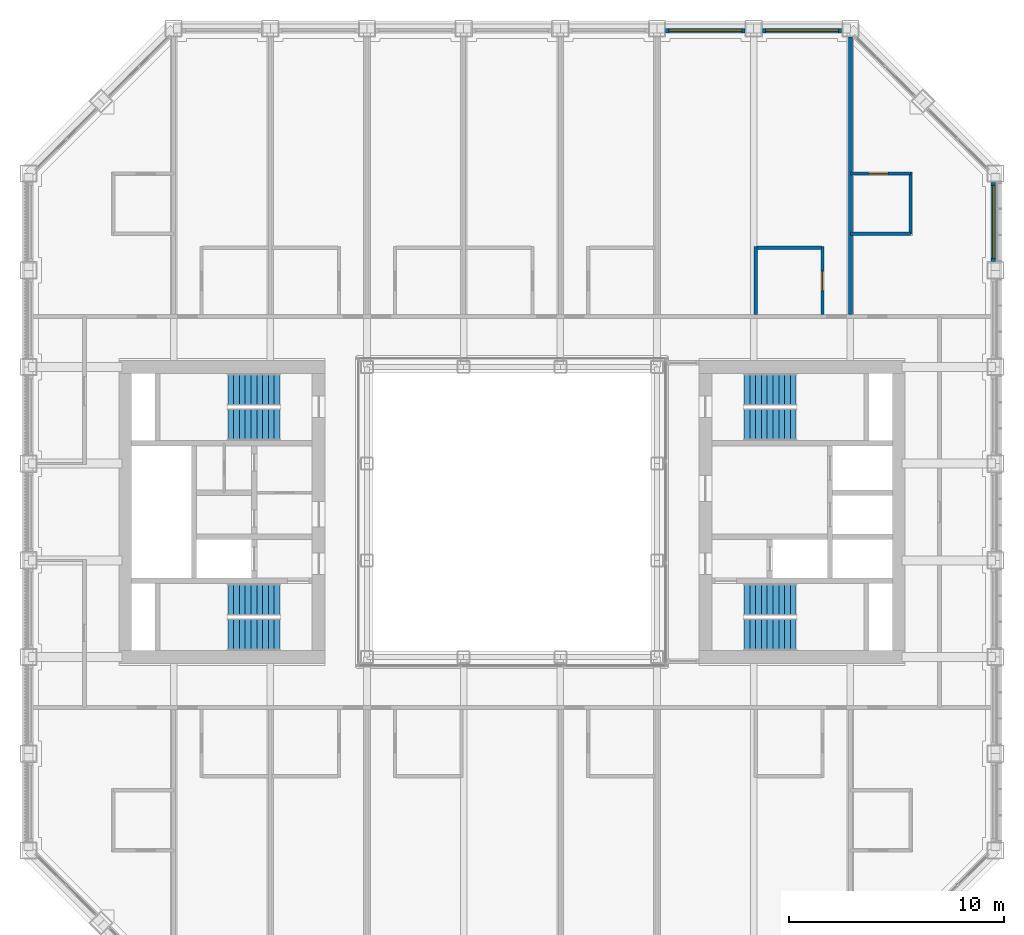
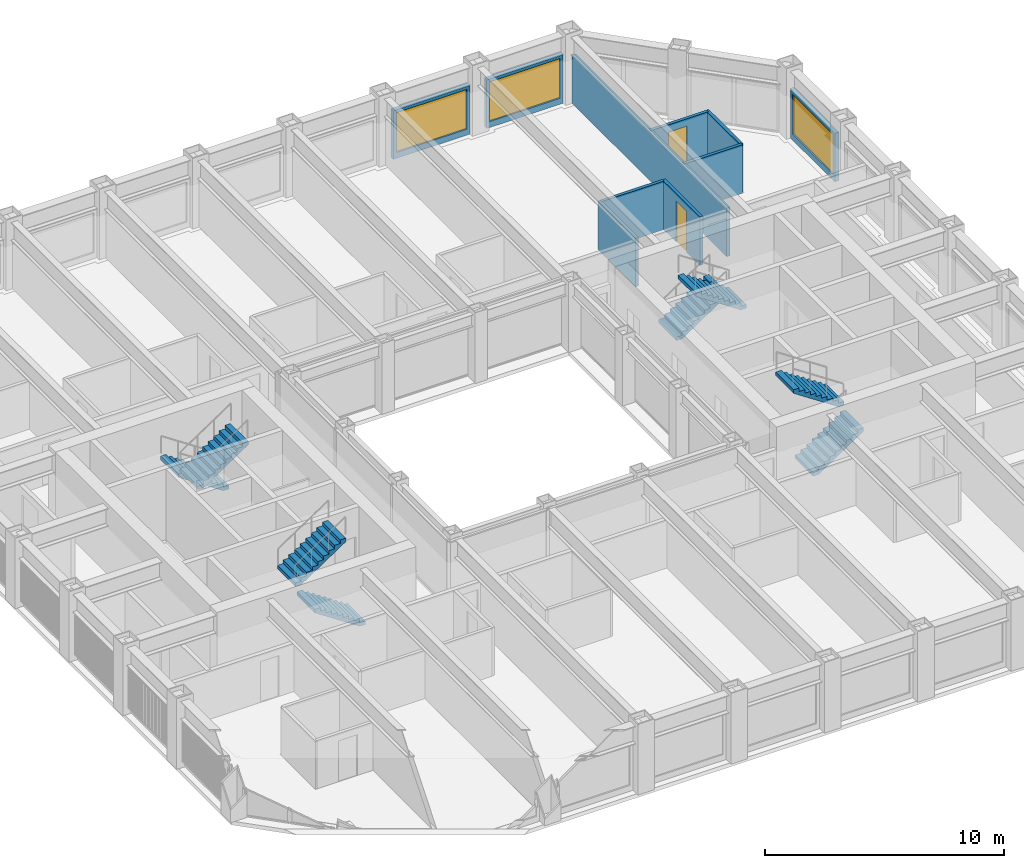
# One storey, part 14 of 17: 10 walls, 8 stair flights, 3 windows, 2 doors, 5 openings, 4 elements without a shape of their own.
"""IFC4 building model written with IfcOpenShell, lengths in metres."""

from ifc_helpers import new_model, si_unit, direction, frame, frame_2d, origin, place, context, subcontext, project, spatial, polyline, rectangle, outline, extrude, material, layer, layer_set, type_object, element, fill, aggregate, save


model = new_model("IFC4")

# Units and contexts
model_context = context("Model", 3, precision=1e-05, world=origin(), true_north=direction((0.0, 1.0)))
body_context = subcontext(model_context, "Body", "Model", "MODEL_VIEW")
ifc_project = project(units=[si_unit("LENGTHUNIT", "METRE"), si_unit("AREAUNIT", "SQUARE_METRE"), si_unit("VOLUMEUNIT", "CUBIC_METRE"), si_unit("PLANEANGLEUNIT", "RADIAN"), si_unit("MASSUNIT", "GRAM", prefix="KILO")], contexts=[model_context])

# Site, building, storey
site_placement = place(None, origin())
site = spatial("IfcSite", under=ifc_project, at=site_placement, CompositionType="ELEMENT")
building_placement = place(site_placement, origin())
building = spatial("IfcBuilding", under=site, at=building_placement, Name="Msasa Ring Tower", CompositionType="ELEMENT")
storey_placement = place(building_placement, frame((0.0, 0.0, 143.60009765625)))
storey = spatial("IfcBuildingStorey", under=building, at=storey_placement, Name="L37", CompositionType="ELEMENT", Elevation=143.60009765625)

# Wall, opening, window
ifc_material_1 = material(Name="Terracotta rainscreen on blockwork", Category="masonry")
ifc_layer_1 = layer(ifc_material_1, 0.199951171875)
ifc_layer_set_1 = layer_set([ifc_layer_1], Name="FW1 TERRACOTTA-LINED INFILL BAY WALL 200")
wall_type_1 = type_object("IfcWallType", Name="FW1 TERRACOTTA-LINED INFILL BAY WALL 200", PredefinedType="SOLIDWALL", material=ifc_layer_set_1)
wall_1_placement = place(storey_placement, frame((22.39990234375, 11.655029296875, 0.0), z_axis=(0.0, 0.0, 1.0), x_axis=(0.0, 1.0, 0.0)))
wall_1 = element("IfcWall", 1, at=wall_1_placement, inside=storey, type_object=wall_type_1, Name="Infill bay wall E L37 15", PredefinedType="SOLIDWALL", context=body_context, shape_type="SweptSolid", body=[
    extrude(rectangle(XDim=3.68994140625, YDim=0.199951171875, at=frame_2d((1.844970703125, 0.0))), origin(), (0.0, 0.0, 1.0), 2.47900390625),
])
opening_1_placement = place(wall_1_placement, frame((0.14501953125, 0.0, 0.300048828125)))
opening_1 = element("IfcOpeningElement", 2, at=opening_1_placement, cuts=wall_1, Name="Opening WN2", PredefinedType="OPENING", context=body_context, shape_type="SweptSolid", body=[
    extrude(rectangle(XDim=3.39990234375, YDim=2.029052734375, at=frame_2d((1.699951171875, 1.0146484375))), frame((0.0, 0.10986328125, 0.0), z_axis=(0.0, -1.0, 0.0), x_axis=(1.0, 0.0, 0.0)), (0.0, 0.0, 1.0), 0.219970703125),
])
ifc_material_2 = material(Name="Aluminium frame with clear glass", Category="aluminium")
window_type = type_object("IfcWindowType", Name="WN2 GUEST ROOM WINDOW 3400x2029", PartitioningType="SINGLE_PANEL", PredefinedType="WINDOW", material=ifc_material_2)
window_1_placement = place(opening_1_placement, origin())
window_1 = element("IfcWindow", 3, at=window_1_placement, inside=storey, type_object=window_type, Name="Window E L37 15", OverallHeight=2.029052734375, OverallWidth=3.39990234375, PartitioningType="SINGLE_PANEL", PredefinedType="WINDOW", context=body_context, shape_type="SweptSolid", body=[
    extrude(rectangle(XDim=3.39990234375, YDim=2.029052734375, at=frame_2d((1.699951171875, 1.0146484375))), frame((0.0, 0.030029296875, 0.0), z_axis=(0.0, -1.0, 0.0), x_axis=(1.0, 0.0, 0.0)), (0.0, 0.0, 1.0), 0.06005859375),
])
fill(opening_1, window_1)

wall_2_placement = place(storey_placement, frame((7.155029296875, 22.39990234375, 0.0), z_axis=(0.0, 0.0, 1.0), x_axis=(1.0, 0.0, 0.0)))
wall_2 = element("IfcWall", 4, at=wall_2_placement, inside=storey, type_object=wall_type_1, Name="Infill bay wall N L37 23", PredefinedType="SOLIDWALL", context=body_context, shape_type="SweptSolid", body=[
    extrude(rectangle(XDim=3.68994140625, YDim=0.199951171875, at=frame_2d((1.844970703125, 0.0))), origin(), (0.0, 0.0, 1.0), 2.47900390625),
])
opening_2_placement = place(wall_2_placement, frame((0.14501953125, 0.0, 0.300048828125)))
opening_2 = element("IfcOpeningElement", 5, at=opening_2_placement, cuts=wall_2, Name="Opening WN2", PredefinedType="OPENING", context=body_context, shape_type="SweptSolid", body=[
    extrude(rectangle(XDim=3.39990234375, YDim=2.029052734375, at=frame_2d((1.699951171875, 1.0146484375))), frame((0.0, 0.10986328125, 0.0), z_axis=(0.0, -1.0, 0.0), x_axis=(1.0, 0.0, 0.0)), (0.0, 0.0, 1.0), 0.219970703125),
])
window_2_placement = place(opening_2_placement, origin())
window_2 = element("IfcWindow", 6, at=window_2_placement, inside=storey, type_object=window_type, Name="Window N L37 23", OverallHeight=2.029052734375, OverallWidth=3.39990234375, PartitioningType="SINGLE_PANEL", PredefinedType="WINDOW", context=body_context, shape_type="SweptSolid", body=[
    extrude(rectangle(XDim=3.39990234375, YDim=2.029052734375, at=frame_2d((1.699951171875, 1.0146484375))), frame((0.0, 0.030029296875, 0.0), z_axis=(0.0, -1.0, 0.0), x_axis=(1.0, 0.0, 0.0)), (0.0, 0.0, 1.0), 0.06005859375),
])
fill(opening_2, window_2)

wall_3_placement = place(storey_placement, frame((11.655029296875, 22.39990234375, 0.0), z_axis=(0.0, 0.0, 1.0), x_axis=(1.0, 0.0, 0.0)))
wall_3 = element("IfcWall", 7, at=wall_3_placement, inside=storey, type_object=wall_type_1, Name="Infill bay wall N L37 24", PredefinedType="SOLIDWALL", context=body_context, shape_type="SweptSolid", body=[
    extrude(rectangle(XDim=3.68994140625, YDim=0.199951171875, at=frame_2d((1.844970703125, 0.0))), origin(), (0.0, 0.0, 1.0), 2.47900390625),
])
opening_3_placement = place(wall_3_placement, frame((0.14501953125, 0.0, 0.300048828125)))
opening_3 = element("IfcOpeningElement", 8, at=opening_3_placement, cuts=wall_3, Name="Opening WN2", PredefinedType="OPENING", context=body_context, shape_type="SweptSolid", body=[
    extrude(rectangle(XDim=3.39990234375, YDim=2.029052734375, at=frame_2d((1.699951171875, 1.0146484375))), frame((0.0, 0.10986328125, 0.0), z_axis=(0.0, -1.0, 0.0), x_axis=(1.0, 0.0, 0.0)), (0.0, 0.0, 1.0), 0.219970703125),
])
window_3_placement = place(opening_3_placement, origin())
window_3 = element("IfcWindow", 9, at=window_3_placement, inside=storey, type_object=window_type, Name="Window N L37 24", OverallHeight=2.029052734375, OverallWidth=3.39990234375, PartitioningType="SINGLE_PANEL", PredefinedType="WINDOW", context=body_context, shape_type="SweptSolid", body=[
    extrude(rectangle(XDim=3.39990234375, YDim=2.029052734375, at=frame_2d((1.699951171875, 1.0146484375))), frame((0.0, 0.030029296875, 0.0), z_axis=(0.0, -1.0, 0.0), x_axis=(1.0, 0.0, 0.0)), (0.0, 0.0, 1.0), 0.06005859375),
])
fill(opening_3, window_3)

# Wall, opening, door
ifc_material_3 = material(Name="Moisture-resistant board on steel studs with a concealed cistern and pipe void, tiled", Category="steel")
ifc_layer_2 = layer(ifc_material_3, 0.14990234375)
ifc_layer_set_2 = layer_set([ifc_layer_2], Name="PT4 BATHROOM WET WALL 150")
wall_type_2 = type_object("IfcWallType", Name="PT4 BATHROOM WET WALL 150", PredefinedType="PARTITIONING", material=ifc_layer_set_2)
wall_4_placement = place(storey_placement, frame((14.449951171875, 9.199951171875, 0.0), z_axis=(0.0, 0.0, 1.0), x_axis=(0.0, 1.0, 0.0)))
wall_4 = element("IfcWall", 10, at=wall_4_placement, inside=storey, type_object=wall_type_2, Name="Partition L37-GN05BX", PredefinedType="PARTITIONING", context=body_context, shape_type="SweptSolid", body=[
    extrude(rectangle(XDim=3.150146484375, YDim=0.14990234375, at=frame_2d((1.5751953125, 0.0))), origin(), (0.0, 0.0, 1.0), 2.473388671875),
])
opening_4_placement = place(wall_4_placement, frame((1.10009765625, 0.0, 0.0)))
opening_4 = element("IfcOpeningElement", 11, at=opening_4_placement, cuts=wall_4, Name="Opening HC-008", PredefinedType="OPENING", context=body_context, shape_type="SweptSolid", body=[
    extrude(rectangle(XDim=0.89990234375, YDim=2.10009765625, at=frame_2d((0.449951171875, 1.050048828125))), frame((0.0, 0.0849609375, 0.0), z_axis=(0.0, -1.0, 0.0), x_axis=(1.0, 0.0, 0.0)), (0.0, 0.0, 1.0), 0.169921875),
])
ifc_material_4 = material(Name="Timber door leaf in a steel frame", Category="steel")
door_type = type_object("IfcDoorType", Name="D3 BATHROOM DOOR 900x2100", OperationType="SINGLE_SWING_LEFT", PredefinedType="DOOR", material=ifc_material_4)
door_1_placement = place(opening_4_placement, origin())
door_1 = element("IfcDoor", 12, at=door_1_placement, inside=storey, type_object=door_type, Name="Door L37-GN05B", OperationType="SINGLE_SWING_LEFT", OverallHeight=2.10009765625, OverallWidth=0.89990234375, PredefinedType="DOOR", context=body_context, shape_type="SweptSolid", body=[
    extrude(rectangle(XDim=0.89990234375, YDim=2.10009765625, at=frame_2d((0.449951171875, 1.050048828125))), frame((0.0, 0.02490234375, 0.0), z_axis=(0.0, -1.0, 0.0), x_axis=(1.0, 0.0, 0.0)), (0.0, 0.0, 1.0), 0.050048828125),
])
fill(opening_4, door_1)

# Walls
wall_5_placement = place(storey_placement, frame((11.35009765625, 9.199951171875, 0.0), z_axis=(0.0, 0.0, 1.0), x_axis=(0.0, 1.0, 0.0)))
element("IfcWall", 13, at=wall_5_placement, inside=storey, type_object=wall_type_2, Name="Partition L37-GN05BF", PredefinedType="PARTITIONING", context=body_context, shape_type="SweptSolid", body=[
    extrude(rectangle(XDim=3.150146484375, YDim=0.14990234375, at=frame_2d((1.5751953125, 0.0))), origin(), (0.0, 0.0, 1.0), 2.473388671875),
])
wall_6_placement = place(storey_placement, frame((11.39990234375, 12.300048828125, 0.0), z_axis=(0.0, 0.0, 1.0), x_axis=(1.0, 0.0, 0.0)))
element("IfcWall", 14, at=wall_6_placement, inside=storey, type_object=wall_type_2, Name="Partition L37-GN05BY", PredefinedType="PARTITIONING", context=body_context, shape_type="SweptSolid", body=[
    extrude(rectangle(XDim=3.0, YDim=0.14990234375, at=frame_2d((1.5, 0.0))), origin(), (0.0, 0.0, 1.0), 2.473388671875),
])
wall_7_placement = place(storey_placement, frame((18.550048828125, 12.949951171875, 0.0), z_axis=(0.0, 0.0, 1.0), x_axis=(0.0, 1.0, 0.0)))
element("IfcWall", 15, at=wall_7_placement, inside=storey, type_object=wall_type_2, Name="Partition L37-CSNEBX", PredefinedType="PARTITIONING", context=body_context, shape_type="SweptSolid", body=[
    extrude(rectangle(XDim=2.875, YDim=0.14990234375, at=frame_2d((1.4375, 0.0))), origin(), (0.0, 0.0, 1.0), 2.473388671875),
])
wall_8_placement = place(storey_placement, frame((15.75, 12.949951171875, 0.0), z_axis=(0.0, 0.0, 1.0), x_axis=(1.0, 0.0, 0.0)))
element("IfcWall", 16, at=wall_8_placement, inside=storey, type_object=wall_type_2, Name="Partition L37-CSNEBY", PredefinedType="PARTITIONING", context=body_context, shape_type="SweptSolid", body=[
    extrude(rectangle(XDim=2.800048828125, YDim=0.14990234375, at=frame_2d((1.39990234375, 0.0))), origin(), (0.0, 0.0, 1.0), 2.473388671875),
])

# Wall, opening, door
wall_9_placement = place(storey_placement, frame((15.75, 15.75, 0.0), z_axis=(0.0, 0.0, 1.0), x_axis=(1.0, 0.0, 0.0)))
wall_9 = element("IfcWall", 17, at=wall_9_placement, inside=storey, type_object=wall_type_2, Name="Partition L37-CSNEBZ", PredefinedType="PARTITIONING", context=body_context, shape_type="SweptSolid", body=[
    extrude(rectangle(XDim=2.800048828125, YDim=0.14990234375, at=frame_2d((1.39990234375, 0.0))), origin(), (0.0, 0.0, 1.0), 2.473388671875),
])
opening_5_placement = place(wall_9_placement, frame((0.85009765625, 0.0, 0.0)))
opening_5 = element("IfcOpeningElement", 18, at=opening_5_placement, cuts=wall_9, Name="Opening HC-002", PredefinedType="OPENING", context=body_context, shape_type="SweptSolid", body=[
    extrude(rectangle(XDim=0.89990234375, YDim=2.10009765625, at=frame_2d((0.449951171875, 1.050048828125))), frame((0.0, 0.0849609375, 0.0), z_axis=(0.0, -1.0, 0.0), x_axis=(1.0, 0.0, 0.0)), (0.0, 0.0, 1.0), 0.169921875),
])
door_2_placement = place(opening_5_placement, origin())
door_2 = element("IfcDoor", 19, at=door_2_placement, inside=storey, type_object=door_type, Name="Door L37-CSNEB1", OperationType="SINGLE_SWING_LEFT", OverallHeight=2.10009765625, OverallWidth=0.89990234375, PredefinedType="DOOR", context=body_context, shape_type="SweptSolid", body=[
    extrude(rectangle(XDim=0.89990234375, YDim=2.10009765625, at=frame_2d((0.449951171875, 1.050048828125))), frame((0.0, 0.02490234375, 0.0), z_axis=(0.0, -1.0, 0.0), x_axis=(1.0, 0.0, 0.0)), (0.0, 0.0, 1.0), 0.050048828125),
])
fill(opening_5, door_2)

# Wall
ifc_material_5 = material(Name="Twin steel studs, two layers of acoustic board each face, mineral wool", Category="steel")
ifc_layer_3 = layer(ifc_material_5, 0.175048828125)
ifc_layer_set_3 = layer_set([ifc_layer_3], Name="PT5 GUEST ROOM SEPARATING WALL 175")
wall_type_3 = type_object("IfcWallType", Name="PT5 GUEST ROOM SEPARATING WALL 175", PredefinedType="PARTITIONING", material=ifc_layer_set_3)
wall_10_placement = place(storey_placement, frame((15.75, 9.199951171875, 0.0), z_axis=(0.0, 0.0, 1.0), x_axis=(0.0, 1.0, 0.0)))
element("IfcWall", 20, at=wall_10_placement, inside=storey, type_object=wall_type_3, Name="Partition L37-PWN+15.75", PredefinedType="PARTITIONING", context=body_context, shape_type="SweptSolid", body=[
    extrude(rectangle(XDim=12.900146484375, YDim=0.175048828125, at=frame_2d((6.4501953125, 0.0))), origin(), (0.0, 0.0, 1.0), 2.473388671875),
])

# Stair, stair flights
ifc_material_6 = material(Name="Concrete C40/50", Category="concrete")
stair_type = type_object("IfcStairType", Name="STC CORE STAIR 20 RISERS 180", PredefinedType="HALF_TURN_STAIR", material=ifc_material_6)
stair_1_placement = place(storey_placement, origin())
stair_1 = element("IfcStair", 21, at=stair_1_placement, inside=storey, type_object=stair_type, Name="Core stair SEA L37", PredefinedType="HALF_TURN_STAIR")
ifc_material_7 = material(Name="Concrete C40/50", Category="concrete")
stair_flight_type = type_object("IfcStairFlightType", Name="ST14 CORE STAIR FLIGHT 1500 10 RISERS 180", PredefinedType="STRAIGHT", material=ifc_material_7)
stair_flight_1_placement = place(storey_placement, frame((10.800048828125, -5.699951171875, 0.0), z_axis=(0.0, 0.0, 1.0), x_axis=(1.0, 0.0, 0.0)))
stair_flight_1 = element("IfcStairFlight", 22, at=stair_flight_1_placement, type_object=stair_flight_type, Name="SEA flight 1", NumberOfRisers=10, NumberOfTreads=9, PredefinedType="STRAIGHT", RiserHeight=0.18, TreadLength=0.27, context=body_context, shape_type="SweptSolid", body=[
    extrude(outline(polyline([(0.0, 0.0), (0.0, 0.179931640625), (0.27001953125, 0.179931640625), (0.27001953125, 0.360107421875), (0.5400390625, 0.360107421875), (0.5400390625, 0.5400390625), (0.81005859375, 0.5400390625), (0.81005859375, 0.719970703125), (1.080078125, 0.719970703125), (1.080078125, 0.89990234375), (1.35009765625, 0.89990234375), (1.35009765625, 1.080078125), (1.6201171875, 1.080078125), (1.6201171875, 1.260009765625), (1.889892578125, 1.260009765625), (1.889892578125, 1.43994140625), (2.159912109375, 1.43994140625), (2.159912109375, 1.6201171875), (2.429931640625, 1.6201171875), (2.429931640625, 1.800048828125), (2.429931640625, 1.43994140625), (0.270263671875, 0.0), (0.0, 0.0)])), frame((0.0, 0.75, 0.0), z_axis=(0.0, -1.0, 0.0), x_axis=(1.0, 0.0, 0.0)), (0.0, 0.0, 1.0), 1.5),
])
stair_flight_2_placement = place(storey_placement, frame((13.22998046875, -4.074951171875, 1.7998046875), z_axis=(0.0, 0.0, 1.0), x_axis=(-1.0, 0.0, 0.0)))
stair_flight_2 = element("IfcStairFlight", 23, at=stair_flight_2_placement, type_object=stair_flight_type, Name="SEA flight 2", NumberOfRisers=10, NumberOfTreads=9, PredefinedType="STRAIGHT", RiserHeight=0.18, TreadLength=0.27, context=body_context, shape_type="SweptSolid", body=[
    extrude(outline(polyline([(0.0, 0.0), (0.0, 0.179931640625), (0.27001953125, 0.179931640625), (0.27001953125, 0.360107421875), (0.5400390625, 0.360107421875), (0.5400390625, 0.5400390625), (0.81005859375, 0.5400390625), (0.81005859375, 0.719970703125), (1.080078125, 0.719970703125), (1.080078125, 0.89990234375), (1.35009765625, 0.89990234375), (1.35009765625, 1.080078125), (1.6201171875, 1.080078125), (1.6201171875, 1.260009765625), (1.889892578125, 1.260009765625), (1.889892578125, 1.43994140625), (2.159912109375, 1.43994140625), (2.159912109375, 1.6201171875), (2.429931640625, 1.6201171875), (2.429931640625, 1.800048828125), (2.429931640625, 1.43994140625), (0.270263671875, 0.0), (0.0, 0.0)])), frame((0.0, 0.75, 0.0), z_axis=(0.0, -1.0, 0.0), x_axis=(1.0, 0.0, 0.0)), (0.0, 0.0, 1.0), 1.5),
])
aggregate(stair_1, [stair_flight_1, stair_flight_2])

stair_2_placement = place(storey_placement, origin())
stair_2 = element("IfcStair", 24, at=stair_2_placement, inside=storey, type_object=stair_type, Name="Core stair SEB L37", PredefinedType="HALF_TURN_STAIR")
stair_flight_3_placement = place(storey_placement, frame((10.800048828125, 5.699951171875, 0.0), z_axis=(0.0, 0.0, 1.0), x_axis=(1.0, 0.0, 0.0)))
stair_flight_3 = element("IfcStairFlight", 25, at=stair_flight_3_placement, type_object=stair_flight_type, Name="SEB flight 1", NumberOfRisers=10, NumberOfTreads=9, PredefinedType="STRAIGHT", RiserHeight=0.18, TreadLength=0.27, context=body_context, shape_type="SweptSolid", body=[
    extrude(outline(polyline([(0.0, 0.0), (0.0, 0.179931640625), (0.27001953125, 0.179931640625), (0.27001953125, 0.360107421875), (0.5400390625, 0.360107421875), (0.5400390625, 0.5400390625), (0.81005859375, 0.5400390625), (0.81005859375, 0.719970703125), (1.080078125, 0.719970703125), (1.080078125, 0.89990234375), (1.35009765625, 0.89990234375), (1.35009765625, 1.080078125), (1.6201171875, 1.080078125), (1.6201171875, 1.260009765625), (1.889892578125, 1.260009765625), (1.889892578125, 1.43994140625), (2.159912109375, 1.43994140625), (2.159912109375, 1.6201171875), (2.429931640625, 1.6201171875), (2.429931640625, 1.800048828125), (2.429931640625, 1.43994140625), (0.270263671875, 0.0), (0.0, 0.0)])), frame((0.0, 0.75, 0.0), z_axis=(0.0, -1.0, 0.0), x_axis=(1.0, 0.0, 0.0)), (0.0, 0.0, 1.0), 1.5),
])
stair_flight_4_placement = place(storey_placement, frame((13.22998046875, 4.074951171875, 1.7998046875), z_axis=(0.0, 0.0, 1.0), x_axis=(-1.0, 0.0, 0.0)))
stair_flight_4 = element("IfcStairFlight", 26, at=stair_flight_4_placement, type_object=stair_flight_type, Name="SEB flight 2", NumberOfRisers=10, NumberOfTreads=9, PredefinedType="STRAIGHT", RiserHeight=0.18, TreadLength=0.27, context=body_context, shape_type="SweptSolid", body=[
    extrude(outline(polyline([(0.0, 0.0), (0.0, 0.179931640625), (0.27001953125, 0.179931640625), (0.27001953125, 0.360107421875), (0.5400390625, 0.360107421875), (0.5400390625, 0.5400390625), (0.81005859375, 0.5400390625), (0.81005859375, 0.719970703125), (1.080078125, 0.719970703125), (1.080078125, 0.89990234375), (1.35009765625, 0.89990234375), (1.35009765625, 1.080078125), (1.6201171875, 1.080078125), (1.6201171875, 1.260009765625), (1.889892578125, 1.260009765625), (1.889892578125, 1.43994140625), (2.159912109375, 1.43994140625), (2.159912109375, 1.6201171875), (2.429931640625, 1.6201171875), (2.429931640625, 1.800048828125), (2.429931640625, 1.43994140625), (0.270263671875, 0.0), (0.0, 0.0)])), frame((0.0, 0.75, 0.0), z_axis=(0.0, -1.0, 0.0), x_axis=(1.0, 0.0, 0.0)), (0.0, 0.0, 1.0), 1.5),
])
aggregate(stair_2, [stair_flight_3, stair_flight_4])

stair_3_placement = place(storey_placement, origin())
stair_3 = element("IfcStair", 27, at=stair_3_placement, inside=storey, type_object=stair_type, Name="Core stair SWA L37", PredefinedType="HALF_TURN_STAIR")
stair_flight_5_placement = place(storey_placement, frame((-10.800048828125, -5.699951171875, 0.0), z_axis=(0.0, 0.0, 1.0), x_axis=(-1.0, 0.0, 0.0)))
stair_flight_5 = element("IfcStairFlight", 28, at=stair_flight_5_placement, type_object=stair_flight_type, Name="SWA flight 1", NumberOfRisers=10, NumberOfTreads=9, PredefinedType="STRAIGHT", RiserHeight=0.18, TreadLength=0.27, context=body_context, shape_type="SweptSolid", body=[
    extrude(outline(polyline([(0.0, 0.0), (0.0, 0.179931640625), (0.27001953125, 0.179931640625), (0.27001953125, 0.360107421875), (0.5400390625, 0.360107421875), (0.5400390625, 0.5400390625), (0.81005859375, 0.5400390625), (0.81005859375, 0.719970703125), (1.080078125, 0.719970703125), (1.080078125, 0.89990234375), (1.35009765625, 0.89990234375), (1.35009765625, 1.080078125), (1.6201171875, 1.080078125), (1.6201171875, 1.260009765625), (1.889892578125, 1.260009765625), (1.889892578125, 1.43994140625), (2.159912109375, 1.43994140625), (2.159912109375, 1.6201171875), (2.429931640625, 1.6201171875), (2.429931640625, 1.800048828125), (2.429931640625, 1.43994140625), (0.270263671875, 0.0), (0.0, 0.0)])), frame((0.0, 0.75, 0.0), z_axis=(0.0, -1.0, 0.0), x_axis=(1.0, 0.0, 0.0)), (0.0, 0.0, 1.0), 1.5),
])
stair_flight_6_placement = place(storey_placement, frame((-13.22998046875, -4.074951171875, 1.7998046875), z_axis=(0.0, 0.0, 1.0), x_axis=(1.0, 0.0, 0.0)))
stair_flight_6 = element("IfcStairFlight", 29, at=stair_flight_6_placement, type_object=stair_flight_type, Name="SWA flight 2", NumberOfRisers=10, NumberOfTreads=9, PredefinedType="STRAIGHT", RiserHeight=0.18, TreadLength=0.27, context=body_context, shape_type="SweptSolid", body=[
    extrude(outline(polyline([(0.0, 0.0), (0.0, 0.179931640625), (0.27001953125, 0.179931640625), (0.27001953125, 0.360107421875), (0.5400390625, 0.360107421875), (0.5400390625, 0.5400390625), (0.81005859375, 0.5400390625), (0.81005859375, 0.719970703125), (1.080078125, 0.719970703125), (1.080078125, 0.89990234375), (1.35009765625, 0.89990234375), (1.35009765625, 1.080078125), (1.6201171875, 1.080078125), (1.6201171875, 1.260009765625), (1.889892578125, 1.260009765625), (1.889892578125, 1.43994140625), (2.159912109375, 1.43994140625), (2.159912109375, 1.6201171875), (2.429931640625, 1.6201171875), (2.429931640625, 1.800048828125), (2.429931640625, 1.43994140625), (0.270263671875, 0.0), (0.0, 0.0)])), frame((0.0, 0.75, 0.0), z_axis=(0.0, -1.0, 0.0), x_axis=(1.0, 0.0, 0.0)), (0.0, 0.0, 1.0), 1.5),
])
aggregate(stair_3, [stair_flight_5, stair_flight_6])

stair_4_placement = place(storey_placement, origin())
stair_4 = element("IfcStair", 30, at=stair_4_placement, inside=storey, type_object=stair_type, Name="Core stair SWB L37", PredefinedType="HALF_TURN_STAIR")
stair_flight_7_placement = place(storey_placement, frame((-10.800048828125, 5.699951171875, 0.0), z_axis=(0.0, 0.0, 1.0), x_axis=(-1.0, 0.0, 0.0)))
stair_flight_7 = element("IfcStairFlight", 31, at=stair_flight_7_placement, type_object=stair_flight_type, Name="SWB flight 1", NumberOfRisers=10, NumberOfTreads=9, PredefinedType="STRAIGHT", RiserHeight=0.18, TreadLength=0.27, context=body_context, shape_type="SweptSolid", body=[
    extrude(outline(polyline([(0.0, 0.0), (0.0, 0.179931640625), (0.27001953125, 0.179931640625), (0.27001953125, 0.360107421875), (0.5400390625, 0.360107421875), (0.5400390625, 0.5400390625), (0.81005859375, 0.5400390625), (0.81005859375, 0.719970703125), (1.080078125, 0.719970703125), (1.080078125, 0.89990234375), (1.35009765625, 0.89990234375), (1.35009765625, 1.080078125), (1.6201171875, 1.080078125), (1.6201171875, 1.260009765625), (1.889892578125, 1.260009765625), (1.889892578125, 1.43994140625), (2.159912109375, 1.43994140625), (2.159912109375, 1.6201171875), (2.429931640625, 1.6201171875), (2.429931640625, 1.800048828125), (2.429931640625, 1.43994140625), (0.270263671875, 0.0), (0.0, 0.0)])), frame((0.0, 0.75, 0.0), z_axis=(0.0, -1.0, 0.0), x_axis=(1.0, 0.0, 0.0)), (0.0, 0.0, 1.0), 1.5),
])
stair_flight_8_placement = place(storey_placement, frame((-13.22998046875, 4.074951171875, 1.7998046875), z_axis=(0.0, 0.0, 1.0), x_axis=(1.0, 0.0, 0.0)))
stair_flight_8 = element("IfcStairFlight", 32, at=stair_flight_8_placement, type_object=stair_flight_type, Name="SWB flight 2", NumberOfRisers=10, NumberOfTreads=9, PredefinedType="STRAIGHT", RiserHeight=0.18, TreadLength=0.27, context=body_context, shape_type="SweptSolid", body=[
    extrude(outline(polyline([(0.0, 0.0), (0.0, 0.179931640625), (0.27001953125, 0.179931640625), (0.27001953125, 0.360107421875), (0.5400390625, 0.360107421875), (0.5400390625, 0.5400390625), (0.81005859375, 0.5400390625), (0.81005859375, 0.719970703125), (1.080078125, 0.719970703125), (1.080078125, 0.89990234375), (1.35009765625, 0.89990234375), (1.35009765625, 1.080078125), (1.6201171875, 1.080078125), (1.6201171875, 1.260009765625), (1.889892578125, 1.260009765625), (1.889892578125, 1.43994140625), (2.159912109375, 1.43994140625), (2.159912109375, 1.6201171875), (2.429931640625, 1.6201171875), (2.429931640625, 1.800048828125), (2.429931640625, 1.43994140625), (0.270263671875, 0.0), (0.0, 0.0)])), frame((0.0, 0.75, 0.0), z_axis=(0.0, -1.0, 0.0), x_axis=(1.0, 0.0, 0.0)), (0.0, 0.0, 1.0), 1.5),
])
aggregate(stair_4, [stair_flight_7, stair_flight_8])

save(model, "model.ifc")
